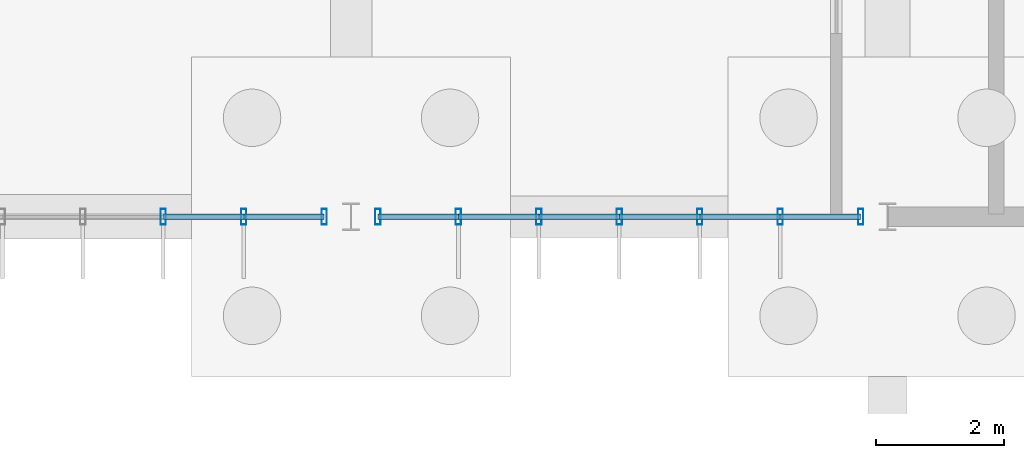
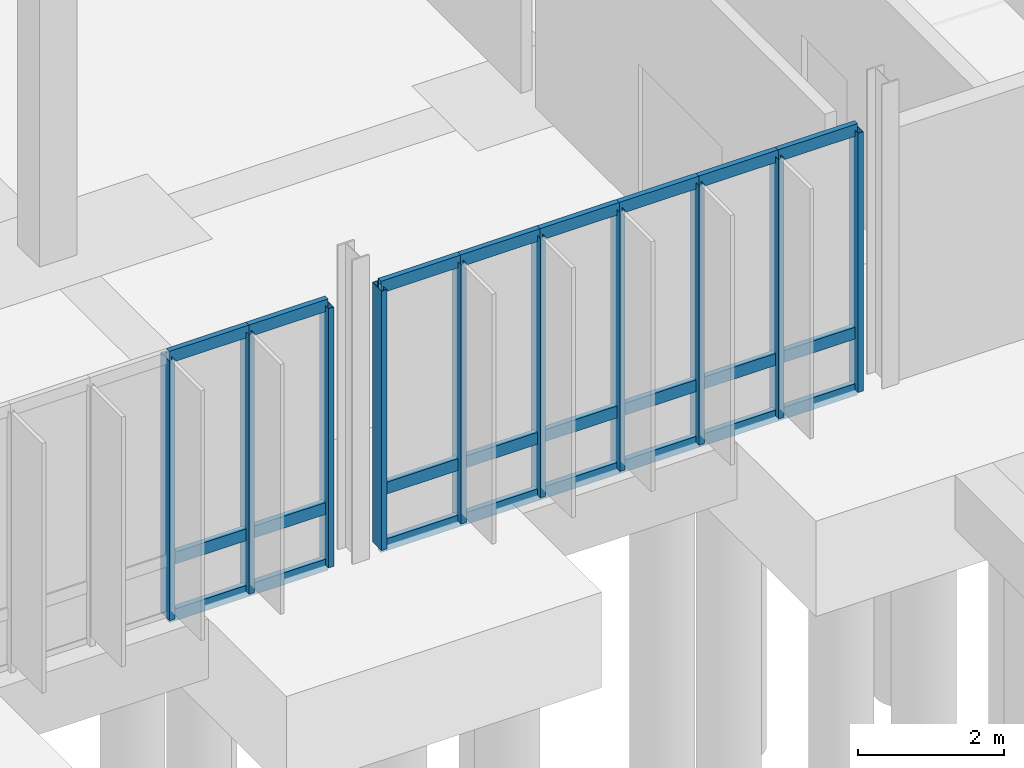
# One storey, part 31 of 119: 34 members, 2 elements without a shape of their own.
"""IFC4 building model written with IfcOpenShell, lengths in metres."""

from ifc_helpers import new_model, si_unit, derived_unit, direction, frame, origin, origin_2d, place, context, subcontext, project, spatial, hollow_rectangle, extrude, material, layer, layer_set, material_profile, profile_set, type_object, element, aggregate, save


model = new_model("IFC4")

# Units and contexts
model_context = context("Model", 3, precision=1e-05, world=origin(), true_north=direction((0.0, 1.0)))
body_context = subcontext(model_context, "Body", "Model", "MODEL_VIEW")
ifc_project = project(units=[si_unit("LENGTHUNIT", "METRE"), si_unit("AREAUNIT", "SQUARE_METRE"), si_unit("VOLUMEUNIT", "CUBIC_METRE"), si_unit("PLANEANGLEUNIT", "RADIAN"), si_unit("MASSUNIT", "GRAM", prefix="KILO"), derived_unit("THERMALTRANSMITTANCEUNIT", [(si_unit("MASSUNIT", "GRAM", prefix="KILO"), 1), (si_unit("TIMEUNIT", "SECOND"), -3), (si_unit("THERMODYNAMICTEMPERATUREUNIT", "KELVIN"), -1)])], contexts=[model_context])

# Site, building, storey
site_placement = place(None, origin())
site = spatial("IfcSite", under=ifc_project, at=site_placement, CompositionType="ELEMENT")
building_placement = place(site_placement, origin())
building = spatial("IfcBuilding", under=site, at=building_placement, Name="Makaiwela Harbour Ferry Terminal", CompositionType="ELEMENT")
storey_placement = place(building_placement, origin())
storey = spatial("IfcBuildingStorey", under=building, at=storey_placement, Name="L00", CompositionType="ELEMENT", Elevation=0.0)

# Curtain wall, members
ifc_material = material(Name="Marine anodised aluminium 6063-T6", Category="aluminium")
ifc_layer = layer(ifc_material, 0.199951171875)
ifc_layer_set = layer_set([ifc_layer], Name="Marine anodised aluminium 6063-T6")
curtain_wall_type = type_object("IfcCurtainWallType", Name="ENV-CW-10", PredefinedType="USERDEFINED", material=ifc_layer_set)
curtain_wall_1_placement = place(storey_placement, origin())
curtain_wall_1 = element("IfcCurtainWall", 1, at=curtain_wall_1_placement, inside=storey, type_object=curtain_wall_type, Name="Unitised Curtain Wall CWA-100", ObjectType="UNITIZED CURTAIN WALL", PredefinedType="USERDEFINED")
ifc_material_profile_1 = material_profile(ifc_material, hollow_rectangle(XDim=0.0849609375, YDim=0.25, WallThickness=0.0048828125, at=origin_2d()), Name="CWM-250X85")
ifc_profile_set_1 = profile_set([ifc_material_profile_1], Name="Marine anodised aluminium 6063-T6")
member_type_1 = type_object("IfcMemberType", Name="CW-MUL-250", PredefinedType="MULLION", material=ifc_profile_set_1)
member_1_placement = place(storey_placement, frame((45.780029296875, 25.199951171875, 0.0), z_axis=(0.0, 0.0, 1.0), x_axis=(1.0, 0.0, 0.0)))
member_1 = element("IfcMember", 2, at=member_1_placement, type_object=member_type_1, Name="Curtain Wall Mullion CWA-100-1", PredefinedType="MULLION", context=body_context, shape_type="SweptSolid", body=[
    extrude(hollow_rectangle(XDim=0.0849609375, YDim=0.25, WallThickness=0.0048828125, at=origin_2d()), origin(), (0.0, 0.0, 1.0), 4.35009765625),
])
member_2_placement = place(storey_placement, frame((44.52001953125, 25.199951171875, 0.0), z_axis=(0.0, 0.0, 1.0), x_axis=(1.0, 0.0, 0.0)))
member_2 = element("IfcMember", 3, at=member_2_placement, type_object=member_type_1, Name="Curtain Wall Mullion CWA-100-2", PredefinedType="MULLION", context=body_context, shape_type="SweptSolid", body=[
    extrude(hollow_rectangle(XDim=0.0849609375, YDim=0.25, WallThickness=0.0048828125, at=origin_2d()), origin(), (0.0, 0.0, 1.0), 4.35009765625),
])
member_3_placement = place(storey_placement, frame((43.260009765625, 25.199951171875, 0.0), z_axis=(0.0, 0.0, 1.0), x_axis=(1.0, 0.0, 0.0)))
member_3 = element("IfcMember", 4, at=member_3_placement, type_object=member_type_1, Name="Curtain Wall Mullion CWA-100-3", PredefinedType="MULLION", context=body_context, shape_type="SweptSolid", body=[
    extrude(hollow_rectangle(XDim=0.0849609375, YDim=0.25, WallThickness=0.0048828125, at=origin_2d()), origin(), (0.0, 0.0, 1.0), 4.35009765625),
])

curtain_wall_2_placement = place(storey_placement, origin())
curtain_wall_2 = element("IfcCurtainWall", 5, at=curtain_wall_2_placement, inside=storey, type_object=curtain_wall_type, Name="Unitised Curtain Wall CWA-103", ObjectType="UNITIZED CURTAIN WALL", PredefinedType="USERDEFINED")
member_4_placement = place(storey_placement, frame((54.179931640625, 25.199951171875, 0.0), z_axis=(0.0, 0.0, 1.0), x_axis=(1.0, 0.0, 0.0)))
member_4 = element("IfcMember", 6, at=member_4_placement, type_object=member_type_1, Name="Curtain Wall Mullion CWA-103-1", PredefinedType="MULLION", context=body_context, shape_type="SweptSolid", body=[
    extrude(hollow_rectangle(XDim=0.0849609375, YDim=0.25, WallThickness=0.0048828125, at=origin_2d()), origin(), (0.0, 0.0, 1.0), 4.35009765625),
])
member_5_placement = place(storey_placement, frame((52.919921875, 25.199951171875, 0.0), z_axis=(0.0, 0.0, 1.0), x_axis=(1.0, 0.0, 0.0)))
member_5 = element("IfcMember", 7, at=member_5_placement, type_object=member_type_1, Name="Curtain Wall Mullion CWA-103-2", PredefinedType="MULLION", context=body_context, shape_type="SweptSolid", body=[
    extrude(hollow_rectangle(XDim=0.0849609375, YDim=0.25, WallThickness=0.0048828125, at=origin_2d()), origin(), (0.0, 0.0, 1.0), 4.35009765625),
])
member_6_placement = place(storey_placement, frame((51.659912109375, 25.199951171875, 0.0), z_axis=(0.0, 0.0, 1.0), x_axis=(1.0, 0.0, 0.0)))
member_6 = element("IfcMember", 8, at=member_6_placement, type_object=member_type_1, Name="Curtain Wall Mullion CWA-103-3", PredefinedType="MULLION", context=body_context, shape_type="SweptSolid", body=[
    extrude(hollow_rectangle(XDim=0.0849609375, YDim=0.25, WallThickness=0.0048828125, at=origin_2d()), origin(), (0.0, 0.0, 1.0), 4.35009765625),
])
member_7_placement = place(storey_placement, frame((50.39990234375, 25.199951171875, 0.0), z_axis=(0.0, 0.0, 1.0), x_axis=(1.0, 0.0, 0.0)))
member_7 = element("IfcMember", 9, at=member_7_placement, type_object=member_type_1, Name="Curtain Wall Mullion CWA-103-4", PredefinedType="MULLION", context=body_context, shape_type="SweptSolid", body=[
    extrude(hollow_rectangle(XDim=0.0849609375, YDim=0.25, WallThickness=0.0048828125, at=origin_2d()), origin(), (0.0, 0.0, 1.0), 4.35009765625),
])
member_8_placement = place(storey_placement, frame((49.139892578125, 25.199951171875, 0.0), z_axis=(0.0, 0.0, 1.0), x_axis=(1.0, 0.0, 0.0)))
member_8 = element("IfcMember", 10, at=member_8_placement, type_object=member_type_1, Name="Curtain Wall Mullion CWA-103-5", PredefinedType="MULLION", context=body_context, shape_type="SweptSolid", body=[
    extrude(hollow_rectangle(XDim=0.0849609375, YDim=0.25, WallThickness=0.0048828125, at=origin_2d()), origin(), (0.0, 0.0, 1.0), 4.35009765625),
])
member_9_placement = place(storey_placement, frame((47.8798828125, 25.199951171875, 0.0), z_axis=(0.0, 0.0, 1.0), x_axis=(1.0, 0.0, 0.0)))
member_9 = element("IfcMember", 11, at=member_9_placement, type_object=member_type_1, Name="Curtain Wall Mullion CWA-103-6", PredefinedType="MULLION", context=body_context, shape_type="SweptSolid", body=[
    extrude(hollow_rectangle(XDim=0.0849609375, YDim=0.25, WallThickness=0.0048828125, at=origin_2d()), origin(), (0.0, 0.0, 1.0), 4.35009765625),
])
member_10_placement = place(storey_placement, frame((46.6201171875, 25.199951171875, 0.0), z_axis=(0.0, 0.0, 1.0), x_axis=(1.0, 0.0, 0.0)))
member_10 = element("IfcMember", 12, at=member_10_placement, type_object=member_type_1, Name="Curtain Wall Mullion CWA-103-7", PredefinedType="MULLION", context=body_context, shape_type="SweptSolid", body=[
    extrude(hollow_rectangle(XDim=0.0849609375, YDim=0.25, WallThickness=0.0048828125, at=origin_2d()), origin(), (0.0, 0.0, 1.0), 4.35009765625),
])

# Member
ifc_material_profile_2 = material_profile(ifc_material, hollow_rectangle(XDim=0.0849609375, YDim=0.199951171875, WallThickness=0.0048828125, at=origin_2d()), Name="CWT-200X85")
ifc_profile_set_2 = profile_set([ifc_material_profile_2], Name="Marine anodised aluminium 6063-T6")
member_type_2 = type_object("IfcMemberType", Name="CW-TRN-200", PredefinedType="USERDEFINED", material=ifc_profile_set_2)
member_11_placement = place(storey_placement, frame((45.780029296875, 25.199951171875, 0.0), z_axis=(-1.0, 0.0, 0.0), x_axis=(0.0, -1.0, 0.0)))
member_11 = element("IfcMember", 13, at=member_11_placement, type_object=member_type_2, Name="Curtain Wall Transom CWA-100-1-1", ObjectType="TRANSOM", PredefinedType="USERDEFINED", context=body_context, shape_type="SweptSolid", body=[
    extrude(hollow_rectangle(XDim=0.0849609375, YDim=0.199951171875, WallThickness=0.0048828125, at=origin_2d()), origin(), (0.0, 0.0, 1.0), 1.260009765625),
])

member_12_placement = place(storey_placement, frame((45.780029296875, 25.199951171875, 0.949951171875), z_axis=(-1.0, 0.0, 0.0), x_axis=(0.0, -1.0, 0.0)))
member_12 = element("IfcMember", 14, at=member_12_placement, type_object=member_type_2, Name="Curtain Wall Transom CWA-100-1-2", ObjectType="TRANSOM", PredefinedType="USERDEFINED", context=body_context, shape_type="SweptSolid", body=[
    extrude(hollow_rectangle(XDim=0.0849609375, YDim=0.199951171875, WallThickness=0.0048828125, at=origin_2d()), origin(), (0.0, 0.0, 1.0), 1.260009765625),
])

member_13_placement = place(storey_placement, frame((45.780029296875, 25.199951171875, 4.35009765625), z_axis=(-1.0, 0.0, 0.0), x_axis=(0.0, -1.0, 0.0)))
member_13 = element("IfcMember", 15, at=member_13_placement, type_object=member_type_2, Name="Curtain Wall Transom CWA-100-1-3", ObjectType="TRANSOM", PredefinedType="USERDEFINED", context=body_context, shape_type="SweptSolid", body=[
    extrude(hollow_rectangle(XDim=0.0849609375, YDim=0.199951171875, WallThickness=0.0048828125, at=origin_2d()), origin(), (0.0, 0.0, 1.0), 1.260009765625),
])

member_14_placement = place(storey_placement, frame((44.52001953125, 25.199951171875, 0.0), z_axis=(-1.0, 0.0, 0.0), x_axis=(0.0, -1.0, 0.0)))
member_14 = element("IfcMember", 16, at=member_14_placement, type_object=member_type_2, Name="Curtain Wall Transom CWA-100-2-1", ObjectType="TRANSOM", PredefinedType="USERDEFINED", context=body_context, shape_type="SweptSolid", body=[
    extrude(hollow_rectangle(XDim=0.0849609375, YDim=0.199951171875, WallThickness=0.0048828125, at=origin_2d()), origin(), (0.0, 0.0, 1.0), 1.260009765625),
])

member_15_placement = place(storey_placement, frame((44.52001953125, 25.199951171875, 0.949951171875), z_axis=(-1.0, 0.0, 0.0), x_axis=(0.0, -1.0, 0.0)))
member_15 = element("IfcMember", 17, at=member_15_placement, type_object=member_type_2, Name="Curtain Wall Transom CWA-100-2-2", ObjectType="TRANSOM", PredefinedType="USERDEFINED", context=body_context, shape_type="SweptSolid", body=[
    extrude(hollow_rectangle(XDim=0.0849609375, YDim=0.199951171875, WallThickness=0.0048828125, at=origin_2d()), origin(), (0.0, 0.0, 1.0), 1.260009765625),
])

member_16_placement = place(storey_placement, frame((44.52001953125, 25.199951171875, 4.35009765625), z_axis=(-1.0, 0.0, 0.0), x_axis=(0.0, -1.0, 0.0)))
member_16 = element("IfcMember", 18, at=member_16_placement, type_object=member_type_2, Name="Curtain Wall Transom CWA-100-2-3", ObjectType="TRANSOM", PredefinedType="USERDEFINED", context=body_context, shape_type="SweptSolid", body=[
    extrude(hollow_rectangle(XDim=0.0849609375, YDim=0.199951171875, WallThickness=0.0048828125, at=origin_2d()), origin(), (0.0, 0.0, 1.0), 1.260009765625),
])

aggregate(curtain_wall_1, [member_1, member_2, member_3, member_11, member_12, member_13, member_14, member_15, member_16])

member_17_placement = place(storey_placement, frame((54.179931640625, 25.199951171875, 0.0), z_axis=(-1.0, 0.0, 0.0), x_axis=(0.0, -1.0, 0.0)))
member_17 = element("IfcMember", 19, at=member_17_placement, type_object=member_type_2, Name="Curtain Wall Transom CWA-103-1-1", ObjectType="TRANSOM", PredefinedType="USERDEFINED", context=body_context, shape_type="SweptSolid", body=[
    extrude(hollow_rectangle(XDim=0.0849609375, YDim=0.199951171875, WallThickness=0.0048828125, at=origin_2d()), origin(), (0.0, 0.0, 1.0), 1.260009765625),
])

member_18_placement = place(storey_placement, frame((54.179931640625, 25.199951171875, 0.949951171875), z_axis=(-1.0, 0.0, 0.0), x_axis=(0.0, -1.0, 0.0)))
member_18 = element("IfcMember", 20, at=member_18_placement, type_object=member_type_2, Name="Curtain Wall Transom CWA-103-1-2", ObjectType="TRANSOM", PredefinedType="USERDEFINED", context=body_context, shape_type="SweptSolid", body=[
    extrude(hollow_rectangle(XDim=0.0849609375, YDim=0.199951171875, WallThickness=0.0048828125, at=origin_2d()), origin(), (0.0, 0.0, 1.0), 1.260009765625),
])

member_19_placement = place(storey_placement, frame((54.179931640625, 25.199951171875, 4.35009765625), z_axis=(-1.0, 0.0, 0.0), x_axis=(0.0, -1.0, 0.0)))
member_19 = element("IfcMember", 21, at=member_19_placement, type_object=member_type_2, Name="Curtain Wall Transom CWA-103-1-3", ObjectType="TRANSOM", PredefinedType="USERDEFINED", context=body_context, shape_type="SweptSolid", body=[
    extrude(hollow_rectangle(XDim=0.0849609375, YDim=0.199951171875, WallThickness=0.0048828125, at=origin_2d()), origin(), (0.0, 0.0, 1.0), 1.260009765625),
])

member_20_placement = place(storey_placement, frame((52.919921875, 25.199951171875, 0.0), z_axis=(-1.0, 0.0, 0.0), x_axis=(0.0, -1.0, 0.0)))
member_20 = element("IfcMember", 22, at=member_20_placement, type_object=member_type_2, Name="Curtain Wall Transom CWA-103-2-1", ObjectType="TRANSOM", PredefinedType="USERDEFINED", context=body_context, shape_type="SweptSolid", body=[
    extrude(hollow_rectangle(XDim=0.0849609375, YDim=0.199951171875, WallThickness=0.0048828125, at=origin_2d()), origin(), (0.0, 0.0, 1.0), 1.260009765625),
])

member_21_placement = place(storey_placement, frame((52.919921875, 25.199951171875, 0.949951171875), z_axis=(-1.0, 0.0, 0.0), x_axis=(0.0, -1.0, 0.0)))
member_21 = element("IfcMember", 23, at=member_21_placement, type_object=member_type_2, Name="Curtain Wall Transom CWA-103-2-2", ObjectType="TRANSOM", PredefinedType="USERDEFINED", context=body_context, shape_type="SweptSolid", body=[
    extrude(hollow_rectangle(XDim=0.0849609375, YDim=0.199951171875, WallThickness=0.0048828125, at=origin_2d()), origin(), (0.0, 0.0, 1.0), 1.260009765625),
])

member_22_placement = place(storey_placement, frame((52.919921875, 25.199951171875, 4.35009765625), z_axis=(-1.0, 0.0, 0.0), x_axis=(0.0, -1.0, 0.0)))
member_22 = element("IfcMember", 24, at=member_22_placement, type_object=member_type_2, Name="Curtain Wall Transom CWA-103-2-3", ObjectType="TRANSOM", PredefinedType="USERDEFINED", context=body_context, shape_type="SweptSolid", body=[
    extrude(hollow_rectangle(XDim=0.0849609375, YDim=0.199951171875, WallThickness=0.0048828125, at=origin_2d()), origin(), (0.0, 0.0, 1.0), 1.260009765625),
])

member_23_placement = place(storey_placement, frame((51.659912109375, 25.199951171875, 0.0), z_axis=(-1.0, 0.0, 0.0), x_axis=(0.0, -1.0, 0.0)))
member_23 = element("IfcMember", 25, at=member_23_placement, type_object=member_type_2, Name="Curtain Wall Transom CWA-103-3-1", ObjectType="TRANSOM", PredefinedType="USERDEFINED", context=body_context, shape_type="SweptSolid", body=[
    extrude(hollow_rectangle(XDim=0.0849609375, YDim=0.199951171875, WallThickness=0.0048828125, at=origin_2d()), origin(), (0.0, 0.0, 1.0), 1.260009765625),
])

member_24_placement = place(storey_placement, frame((51.659912109375, 25.199951171875, 0.949951171875), z_axis=(-1.0, 0.0, 0.0), x_axis=(0.0, -1.0, 0.0)))
member_24 = element("IfcMember", 26, at=member_24_placement, type_object=member_type_2, Name="Curtain Wall Transom CWA-103-3-2", ObjectType="TRANSOM", PredefinedType="USERDEFINED", context=body_context, shape_type="SweptSolid", body=[
    extrude(hollow_rectangle(XDim=0.0849609375, YDim=0.199951171875, WallThickness=0.0048828125, at=origin_2d()), origin(), (0.0, 0.0, 1.0), 1.260009765625),
])

member_25_placement = place(storey_placement, frame((51.659912109375, 25.199951171875, 4.35009765625), z_axis=(-1.0, 0.0, 0.0), x_axis=(0.0, -1.0, 0.0)))
member_25 = element("IfcMember", 27, at=member_25_placement, type_object=member_type_2, Name="Curtain Wall Transom CWA-103-3-3", ObjectType="TRANSOM", PredefinedType="USERDEFINED", context=body_context, shape_type="SweptSolid", body=[
    extrude(hollow_rectangle(XDim=0.0849609375, YDim=0.199951171875, WallThickness=0.0048828125, at=origin_2d()), origin(), (0.0, 0.0, 1.0), 1.260009765625),
])

member_26_placement = place(storey_placement, frame((50.39990234375, 25.199951171875, 0.0), z_axis=(-1.0, 0.0, 0.0), x_axis=(0.0, -1.0, 0.0)))
member_26 = element("IfcMember", 28, at=member_26_placement, type_object=member_type_2, Name="Curtain Wall Transom CWA-103-4-1", ObjectType="TRANSOM", PredefinedType="USERDEFINED", context=body_context, shape_type="SweptSolid", body=[
    extrude(hollow_rectangle(XDim=0.0849609375, YDim=0.199951171875, WallThickness=0.0048828125, at=origin_2d()), origin(), (0.0, 0.0, 1.0), 1.260009765625),
])

member_27_placement = place(storey_placement, frame((50.39990234375, 25.199951171875, 0.949951171875), z_axis=(-1.0, 0.0, 0.0), x_axis=(0.0, -1.0, 0.0)))
member_27 = element("IfcMember", 29, at=member_27_placement, type_object=member_type_2, Name="Curtain Wall Transom CWA-103-4-2", ObjectType="TRANSOM", PredefinedType="USERDEFINED", context=body_context, shape_type="SweptSolid", body=[
    extrude(hollow_rectangle(XDim=0.0849609375, YDim=0.199951171875, WallThickness=0.0048828125, at=origin_2d()), origin(), (0.0, 0.0, 1.0), 1.260009765625),
])

member_28_placement = place(storey_placement, frame((50.39990234375, 25.199951171875, 4.35009765625), z_axis=(-1.0, 0.0, 0.0), x_axis=(0.0, -1.0, 0.0)))
member_28 = element("IfcMember", 30, at=member_28_placement, type_object=member_type_2, Name="Curtain Wall Transom CWA-103-4-3", ObjectType="TRANSOM", PredefinedType="USERDEFINED", context=body_context, shape_type="SweptSolid", body=[
    extrude(hollow_rectangle(XDim=0.0849609375, YDim=0.199951171875, WallThickness=0.0048828125, at=origin_2d()), origin(), (0.0, 0.0, 1.0), 1.260009765625),
])

member_29_placement = place(storey_placement, frame((49.139892578125, 25.199951171875, 0.0), z_axis=(-1.0, 0.0, 0.0), x_axis=(0.0, -1.0, 0.0)))
member_29 = element("IfcMember", 31, at=member_29_placement, type_object=member_type_2, Name="Curtain Wall Transom CWA-103-5-1", ObjectType="TRANSOM", PredefinedType="USERDEFINED", context=body_context, shape_type="SweptSolid", body=[
    extrude(hollow_rectangle(XDim=0.0849609375, YDim=0.199951171875, WallThickness=0.0048828125, at=origin_2d()), origin(), (0.0, 0.0, 1.0), 1.260009765625),
])

member_30_placement = place(storey_placement, frame((49.139892578125, 25.199951171875, 0.949951171875), z_axis=(-1.0, 0.0, 0.0), x_axis=(0.0, -1.0, 0.0)))
member_30 = element("IfcMember", 32, at=member_30_placement, type_object=member_type_2, Name="Curtain Wall Transom CWA-103-5-2", ObjectType="TRANSOM", PredefinedType="USERDEFINED", context=body_context, shape_type="SweptSolid", body=[
    extrude(hollow_rectangle(XDim=0.0849609375, YDim=0.199951171875, WallThickness=0.0048828125, at=origin_2d()), origin(), (0.0, 0.0, 1.0), 1.260009765625),
])

member_31_placement = place(storey_placement, frame((49.139892578125, 25.199951171875, 4.35009765625), z_axis=(-1.0, 0.0, 0.0), x_axis=(0.0, -1.0, 0.0)))
member_31 = element("IfcMember", 33, at=member_31_placement, type_object=member_type_2, Name="Curtain Wall Transom CWA-103-5-3", ObjectType="TRANSOM", PredefinedType="USERDEFINED", context=body_context, shape_type="SweptSolid", body=[
    extrude(hollow_rectangle(XDim=0.0849609375, YDim=0.199951171875, WallThickness=0.0048828125, at=origin_2d()), origin(), (0.0, 0.0, 1.0), 1.260009765625),
])

member_32_placement = place(storey_placement, frame((47.8798828125, 25.199951171875, 0.0), z_axis=(-1.0, 0.0, 0.0), x_axis=(0.0, -1.0, 0.0)))
member_32 = element("IfcMember", 34, at=member_32_placement, type_object=member_type_2, Name="Curtain Wall Transom CWA-103-6-1", ObjectType="TRANSOM", PredefinedType="USERDEFINED", context=body_context, shape_type="SweptSolid", body=[
    extrude(hollow_rectangle(XDim=0.0849609375, YDim=0.199951171875, WallThickness=0.0048828125, at=origin_2d()), origin(), (0.0, 0.0, 1.0), 1.259765625),
])

member_33_placement = place(storey_placement, frame((47.8798828125, 25.199951171875, 0.949951171875), z_axis=(-1.0, 0.0, 0.0), x_axis=(0.0, -1.0, 0.0)))
member_33 = element("IfcMember", 35, at=member_33_placement, type_object=member_type_2, Name="Curtain Wall Transom CWA-103-6-2", ObjectType="TRANSOM", PredefinedType="USERDEFINED", context=body_context, shape_type="SweptSolid", body=[
    extrude(hollow_rectangle(XDim=0.0849609375, YDim=0.199951171875, WallThickness=0.0048828125, at=origin_2d()), origin(), (0.0, 0.0, 1.0), 1.259765625),
])

member_34_placement = place(storey_placement, frame((47.8798828125, 25.199951171875, 4.35009765625), z_axis=(-1.0, 0.0, 0.0), x_axis=(0.0, -1.0, 0.0)))
member_34 = element("IfcMember", 36, at=member_34_placement, type_object=member_type_2, Name="Curtain Wall Transom CWA-103-6-3", ObjectType="TRANSOM", PredefinedType="USERDEFINED", context=body_context, shape_type="SweptSolid", body=[
    extrude(hollow_rectangle(XDim=0.0849609375, YDim=0.199951171875, WallThickness=0.0048828125, at=origin_2d()), origin(), (0.0, 0.0, 1.0), 1.259765625),
])

aggregate(curtain_wall_2, [member_4, member_5, member_6, member_7, member_8, member_9, member_10, member_17, member_18, member_19, member_20, member_21, member_22, member_23, member_24, member_25, member_26, member_27, member_28, member_29, member_30, member_31, member_32, member_33, member_34])

save(model, "model.ifc")
